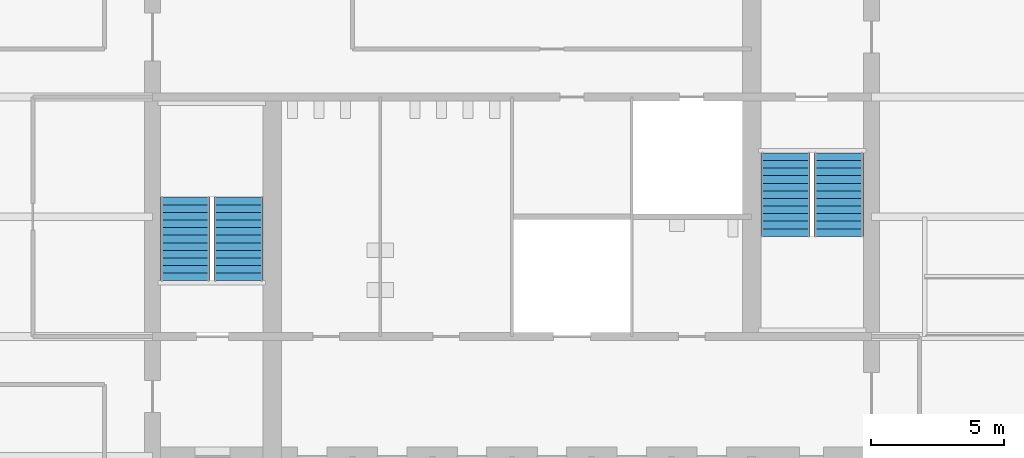
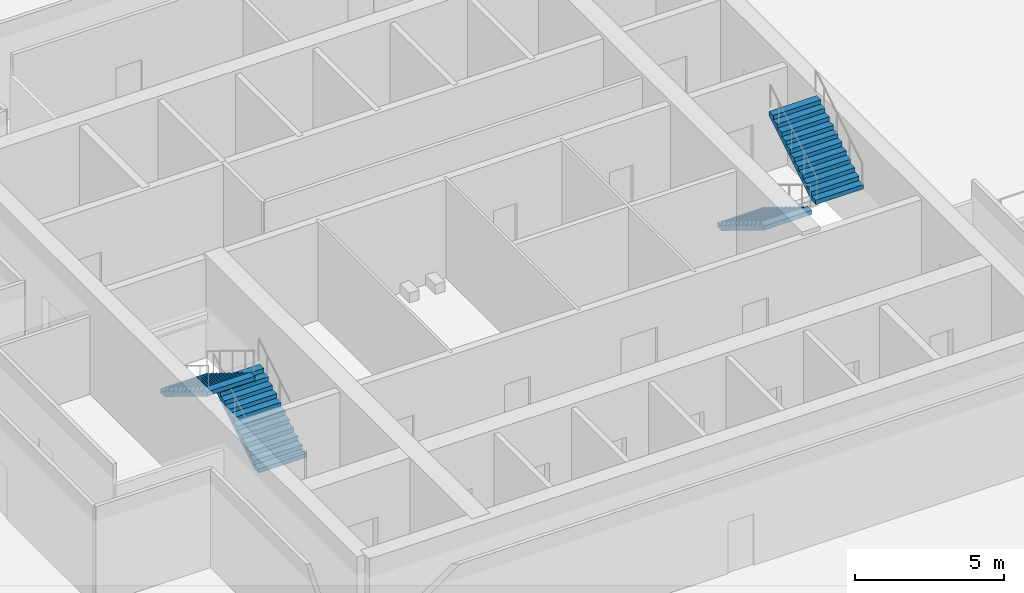
# One storey, part 10 of 12: 4 stair flights, 2 elements without a shape of their own.
"""IFC4 building model written with IfcOpenShell, lengths in metres."""

from ifc_helpers import new_model, si_unit, direction, frame, origin, place, context, subcontext, project, spatial, polyline, outline, extrude, material, type_object, element, aggregate, save


model = new_model("IFC4")

# Units and contexts
model_context = context("Model", 3, precision=1e-05, world=origin(), true_north=direction((0.0, 1.0)))
body_context = subcontext(model_context, "Body", "Model", "MODEL_VIEW")
ifc_project = project(units=[si_unit("LENGTHUNIT", "METRE"), si_unit("AREAUNIT", "SQUARE_METRE"), si_unit("VOLUMEUNIT", "CUBIC_METRE"), si_unit("PLANEANGLEUNIT", "RADIAN"), si_unit("MASSUNIT", "GRAM", prefix="KILO")], contexts=[model_context])

# Site, building, storey
site_placement = place(None, origin())
site = spatial("IfcSite", under=ifc_project, at=site_placement, CompositionType="ELEMENT")
building_placement = place(site_placement, origin())
building = spatial("IfcBuilding", under=site, at=building_placement, Name="Corais Broadcast Tower", CompositionType="ELEMENT")
storey_placement = place(building_placement, frame((0.0, 0.0, 41.60009765625)))
storey = spatial("IfcBuildingStorey", under=building, at=storey_placement, Name="L08", CompositionType="ELEMENT", Elevation=41.60009765625)

# Stair, stair flights
ifc_material_1 = material(Name="Concrete C30/37", Category="concrete")
stair_type = type_object("IfcStairType", Name="Half-turn stair 4200", PredefinedType="HALF_TURN_STAIR", material=ifc_material_1)
stair_1_placement = place(storey_placement, origin())
stair_1 = element("IfcStair", 1, at=stair_1_placement, inside=storey, type_object=stair_type, Name="Stair A L08", PredefinedType="HALF_TURN_STAIR")
ifc_material_2 = material(Name="Concrete C30/37", Category="concrete")
stair_flight_type = type_object("IfcStairFlightType", Name="Stair flight 4200", PredefinedType="STRAIGHT", material=ifc_material_2)
stair_flight_1_placement = place(storey_placement, frame((16.72509765625, 24.60009765625, 0.0), z_axis=(0.0, 0.0, 1.0), x_axis=(0.0, 1.0, 0.0)))
stair_flight_1 = element("IfcStairFlight", 2, at=stair_flight_1_placement, type_object=stair_flight_type, Name="STA flight 1", NumberOfRisers=12, NumberOfTreads=11, PredefinedType="STRAIGHT", RiserHeight=0.175, TreadLength=0.285, context=body_context, shape_type="SweptSolid", body=[
    extrude(outline(polyline([(0.0, 0.0), (0.0, 0.175048828125), (0.284912109375, 0.175048828125), (0.284912109375, 0.35009765625), (0.570068359375, 0.35009765625), (0.570068359375, 0.52490234375), (0.85498046875, 0.52490234375), (0.85498046875, 0.699951171875), (1.139892578125, 0.699951171875), (1.139892578125, 0.875), (1.425048828125, 0.875), (1.425048828125, 1.050048828125), (1.7099609375, 1.050048828125), (1.7099609375, 1.22509765625), (1.9951171875, 1.22509765625), (1.9951171875, 1.39990234375), (2.280029296875, 1.39990234375), (2.280029296875, 1.574951171875), (2.56494140625, 1.574951171875), (2.56494140625, 1.75), (2.85009765625, 1.75), (2.85009765625, 1.925048828125), (3.135009765625, 1.925048828125), (3.135009765625, 2.10009765625), (3.135009765625, 1.7490234375), (0.286376953125, 0.0), (0.0, 0.0)])), frame((0.0, 0.925048828125, 0.0), z_axis=(0.0, -1.0, 0.0), x_axis=(1.0, 0.0, 0.0)), (0.0, 0.0, 1.0), 1.85009765625),
])
stair_flight_2_placement = place(storey_placement, frame((14.72509765625, 27.735107421875, 2.099853515625), z_axis=(0.0, 0.0, 1.0), x_axis=(0.0, -1.0, 0.0)))
stair_flight_2 = element("IfcStairFlight", 3, at=stair_flight_2_placement, type_object=stair_flight_type, Name="STA flight 2", NumberOfRisers=12, NumberOfTreads=11, PredefinedType="STRAIGHT", RiserHeight=0.175, TreadLength=0.285, context=body_context, shape_type="SweptSolid", body=[
    extrude(outline(polyline([(0.0, 0.0), (0.0, 0.175048828125), (0.284912109375, 0.175048828125), (0.284912109375, 0.35009765625), (0.570068359375, 0.35009765625), (0.570068359375, 0.52490234375), (0.85498046875, 0.52490234375), (0.85498046875, 0.699951171875), (1.139892578125, 0.699951171875), (1.139892578125, 0.875), (1.425048828125, 0.875), (1.425048828125, 1.050048828125), (1.7099609375, 1.050048828125), (1.7099609375, 1.22509765625), (1.9951171875, 1.22509765625), (1.9951171875, 1.39990234375), (2.280029296875, 1.39990234375), (2.280029296875, 1.574951171875), (2.56494140625, 1.574951171875), (2.56494140625, 1.75), (2.85009765625, 1.75), (2.85009765625, 1.925048828125), (3.135009765625, 1.925048828125), (3.135009765625, 2.10009765625), (3.135009765625, 1.7490234375), (0.286376953125, 0.0), (0.0, 0.0)])), frame((0.0, 0.925048828125, 0.0), z_axis=(0.0, -1.0, 0.0), x_axis=(1.0, 0.0, 0.0)), (0.0, 0.0, 1.0), 1.85009765625),
])
aggregate(stair_1, [stair_flight_1, stair_flight_2])

stair_2_placement = place(storey_placement, origin())
stair_2 = element("IfcStair", 4, at=stair_2_placement, inside=storey, type_object=stair_type, Name="Stair B L08", PredefinedType="HALF_TURN_STAIR")
stair_flight_3_placement = place(storey_placement, frame((37.27490234375, 29.39990234375, 0.0), z_axis=(0.0, 0.0, 1.0), x_axis=(0.0, -1.0, 0.0)))
stair_flight_3 = element("IfcStairFlight", 5, at=stair_flight_3_placement, type_object=stair_flight_type, Name="STB flight 1", NumberOfRisers=12, NumberOfTreads=11, PredefinedType="STRAIGHT", RiserHeight=0.175, TreadLength=0.285, context=body_context, shape_type="SweptSolid", body=[
    extrude(outline(polyline([(0.0, 0.0), (0.0, 0.175048828125), (0.284912109375, 0.175048828125), (0.284912109375, 0.35009765625), (0.570068359375, 0.35009765625), (0.570068359375, 0.52490234375), (0.85498046875, 0.52490234375), (0.85498046875, 0.699951171875), (1.139892578125, 0.699951171875), (1.139892578125, 0.875), (1.425048828125, 0.875), (1.425048828125, 1.050048828125), (1.7099609375, 1.050048828125), (1.7099609375, 1.22509765625), (1.9951171875, 1.22509765625), (1.9951171875, 1.39990234375), (2.280029296875, 1.39990234375), (2.280029296875, 1.574951171875), (2.56494140625, 1.574951171875), (2.56494140625, 1.75), (2.85009765625, 1.75), (2.85009765625, 1.925048828125), (3.135009765625, 1.925048828125), (3.135009765625, 2.10009765625), (3.135009765625, 1.7490234375), (0.286376953125, 0.0), (0.0, 0.0)])), frame((0.0, 0.925048828125, 0.0), z_axis=(0.0, -1.0, 0.0), x_axis=(1.0, 0.0, 0.0)), (0.0, 0.0, 1.0), 1.85009765625),
])
stair_flight_4_placement = place(storey_placement, frame((39.27490234375, 26.264892578125, 2.099853515625), z_axis=(0.0, 0.0, 1.0), x_axis=(0.0, 1.0, 0.0)))
stair_flight_4 = element("IfcStairFlight", 6, at=stair_flight_4_placement, type_object=stair_flight_type, Name="STB flight 2", NumberOfRisers=12, NumberOfTreads=11, PredefinedType="STRAIGHT", RiserHeight=0.175, TreadLength=0.285, context=body_context, shape_type="SweptSolid", body=[
    extrude(outline(polyline([(0.0, 0.0), (0.0, 0.175048828125), (0.284912109375, 0.175048828125), (0.284912109375, 0.35009765625), (0.570068359375, 0.35009765625), (0.570068359375, 0.52490234375), (0.85498046875, 0.52490234375), (0.85498046875, 0.699951171875), (1.139892578125, 0.699951171875), (1.139892578125, 0.875), (1.425048828125, 0.875), (1.425048828125, 1.050048828125), (1.7099609375, 1.050048828125), (1.7099609375, 1.22509765625), (1.9951171875, 1.22509765625), (1.9951171875, 1.39990234375), (2.280029296875, 1.39990234375), (2.280029296875, 1.574951171875), (2.56494140625, 1.574951171875), (2.56494140625, 1.75), (2.85009765625, 1.75), (2.85009765625, 1.925048828125), (3.135009765625, 1.925048828125), (3.135009765625, 2.10009765625), (3.135009765625, 1.7490234375), (0.286376953125, 0.0), (0.0, 0.0)])), frame((0.0, 0.925048828125, 0.0), z_axis=(0.0, -1.0, 0.0), x_axis=(1.0, 0.0, 0.0)), (0.0, 0.0, 1.0), 1.85009765625),
])
aggregate(stair_2, [stair_flight_3, stair_flight_4])

save(model, "model.ifc")
